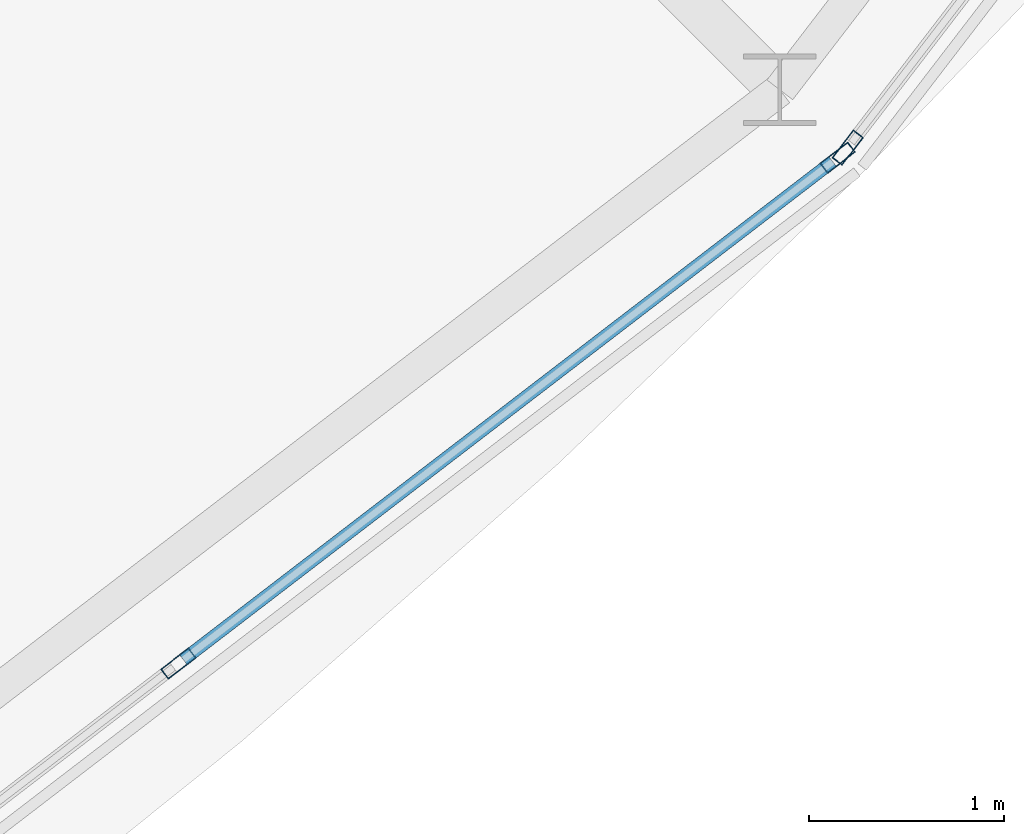
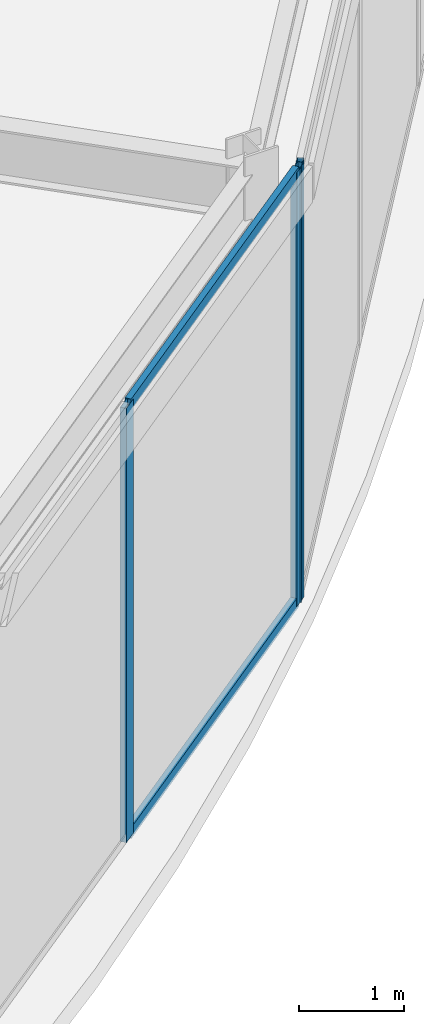
# One storey, part 47 of 168: 5 members, 2 elements without a shape of their own.
"""IFC4 building model written with IfcOpenShell, lengths in metres."""

from ifc_helpers import new_model, si_unit, direction, frame, origin, origin_2d, place, context, subcontext, project, spatial, hollow_rectangle, extrude, material, material_profile, profile_set, type_object, element, aggregate, save


model = new_model("IFC4")

# Units and contexts
model_context = context("Model", 3, precision=1e-05, world=origin(), true_north=direction((0.0, 1.0)))
body_context = subcontext(model_context, "Body", "Model", "MODEL_VIEW")
ifc_project = project(units=[si_unit("LENGTHUNIT", "METRE"), si_unit("AREAUNIT", "SQUARE_METRE"), si_unit("VOLUMEUNIT", "CUBIC_METRE"), si_unit("PLANEANGLEUNIT", "RADIAN"), si_unit("MASSUNIT", "GRAM", prefix="KILO")], contexts=[model_context])

# Site, building, storey
site_placement = place(None, origin())
site = spatial("IfcSite", under=ifc_project, at=site_placement, CompositionType="ELEMENT")
building_placement = place(site_placement, origin())
building = spatial("IfcBuilding", under=site, at=building_placement, Name="Almandine Court Research Institute", CompositionType="ELEMENT")
storey_placement = place(building_placement, origin())
storey = spatial("IfcBuildingStorey", under=building, at=storey_placement, Name="L00", CompositionType="ELEMENT", Elevation=0.0)

# Curtain wall, members
ifc_material_1 = material(Name="Unitised Curtain Wall Framing and Solar Glazing", Category="glass")
curtain_wall_type = type_object("IfcCurtainWallType", Name="CW-CWJ-17", PredefinedType="USERDEFINED", material=ifc_material_1)
curtain_wall_1_placement = place(storey_placement, origin())
curtain_wall_1 = element("IfcCurtainWall", 1, at=curtain_wall_1_placement, inside=storey, type_object=curtain_wall_type, Name="L00 Stacked-Ring Drum Outer Solar Jali Screen 20", ObjectType="SOLAR JALI SCREEN", PredefinedType="USERDEFINED")
ifc_material_2 = material(Name="Anodised Aluminium AW-6063-T6", Category="aluminium")
ifc_material_profile_1 = material_profile(ifc_material_2, hollow_rectangle(XDim=0.06494140625, YDim=0.179931640625, WallThickness=0.00390625, at=origin_2d()), Name="ALU RHS 65x180x4")
ifc_profile_set_1 = profile_set([ifc_material_profile_1], Name="Anodised Aluminium AW-6063-T6")
member_type_1 = type_object("IfcMemberType", Name="CWMul-65x180", PredefinedType="MULLION", material=ifc_profile_set_1)
member_1_placement = place(storey_placement, frame((121.874267578125, 21.07421875, 0.0), z_axis=(0.0, 0.0, 1.0), x_axis=(0.608723313303, -0.793382586046, 0.0)))
member_1 = element("IfcMember", 2, at=member_1_placement, type_object=member_type_1, Name="CWJ-17 mullion 1", PredefinedType="MULLION", context=body_context, shape_type="SweptSolid", body=[
    extrude(hollow_rectangle(XDim=0.06494140625, YDim=0.179931640625, WallThickness=0.00390625, at=origin_2d()), origin(), (0.0, 0.0, 1.0), 5.070068359375),
])
member_2_placement = place(storey_placement, frame((118.494384765625, 18.48095703125, 0.0), z_axis=(0.0, 0.0, 1.0), x_axis=(0.608723313303, -0.793382586046, 0.0)))
member_2 = element("IfcMember", 3, at=member_2_placement, type_object=member_type_1, Name="CWJ-17 mullion 2", PredefinedType="MULLION", context=body_context, shape_type="SweptSolid", body=[
    extrude(hollow_rectangle(XDim=0.06494140625, YDim=0.179931640625, WallThickness=0.00390625, at=origin_2d()), origin(), (0.0, 0.0, 1.0), 5.070068359375),
])

# Curtain wall, member
curtain_wall_2_placement = place(storey_placement, origin())
curtain_wall_2 = element("IfcCurtainWall", 4, at=curtain_wall_2_placement, inside=storey, type_object=curtain_wall_type, Name="L00 Stacked-Ring Drum Outer Solar Jali Screen 21", ObjectType="SOLAR JALI SCREEN", PredefinedType="USERDEFINED")
member_3_placement = place(storey_placement, frame((121.92578125, 21.125732421875, 0.0), z_axis=(0.0, 0.0, 1.0), x_axis=(0.793382586046, -0.608723313303, 0.0)))
member_3 = element("IfcMember", 5, at=member_3_placement, type_object=member_type_1, Name="CWJ-17 mullion 4", PredefinedType="MULLION", context=body_context, shape_type="SweptSolid", body=[
    extrude(hollow_rectangle(XDim=0.06494140625, YDim=0.179931640625, WallThickness=0.00390625, at=origin_2d()), origin(), (0.0, 0.0, 1.0), 5.070068359375),
])
aggregate(curtain_wall_2, [member_3])

# Member
ifc_material_profile_2 = material_profile(ifc_material_2, hollow_rectangle(XDim=0.06494140625, YDim=0.1298828125, WallThickness=0.00390625, at=origin_2d()), Name="ALU RHS 65x130x4")
ifc_profile_set_2 = profile_set([ifc_material_profile_2], Name="Anodised Aluminium AW-6063-T6")
member_type_2 = type_object("IfcMemberType", Name="CWTrn-65x130", PredefinedType="NOTDEFINED", material=ifc_profile_set_2)
member_4_placement = place(storey_placement, frame((121.848388671875, 21.054443359375, 0.032470703125), z_axis=(-0.793380569658, -0.608725941364, 0.0), x_axis=(0.608725941364, -0.793380569658, 0.0)))
member_4 = element("IfcMember", 6, at=member_4_placement, type_object=member_type_2, Name="CWJ-17 transom 1.1", ObjectType="TRANSOM", PredefinedType="USERDEFINED", context=body_context, shape_type="SweptSolid", body=[
    extrude(hollow_rectangle(XDim=0.06494140625, YDim=0.1298828125, WallThickness=0.00390625, at=origin_2d()), origin(), (0.0, 0.0, 1.0), 4.195068359375),
])

member_5_placement = place(storey_placement, frame((121.848388671875, 21.054443359375, 5.03759765625), z_axis=(-0.793380569658, -0.608725941364, 0.0), x_axis=(0.608725941364, -0.793380569658, 0.0)))
member_5 = element("IfcMember", 7, at=member_5_placement, type_object=member_type_2, Name="CWJ-17 transom 1.2", ObjectType="TRANSOM", PredefinedType="USERDEFINED", context=body_context, shape_type="SweptSolid", body=[
    extrude(hollow_rectangle(XDim=0.06494140625, YDim=0.1298828125, WallThickness=0.00390625, at=origin_2d()), origin(), (0.0, 0.0, 1.0), 4.195068359375),
])

aggregate(curtain_wall_1, [member_1, member_2, member_4, member_5])

save(model, "model.ifc")
